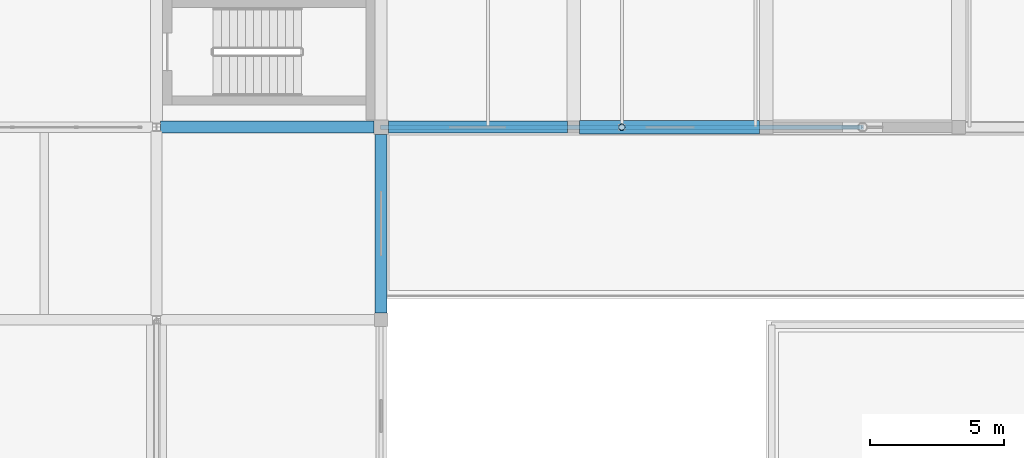
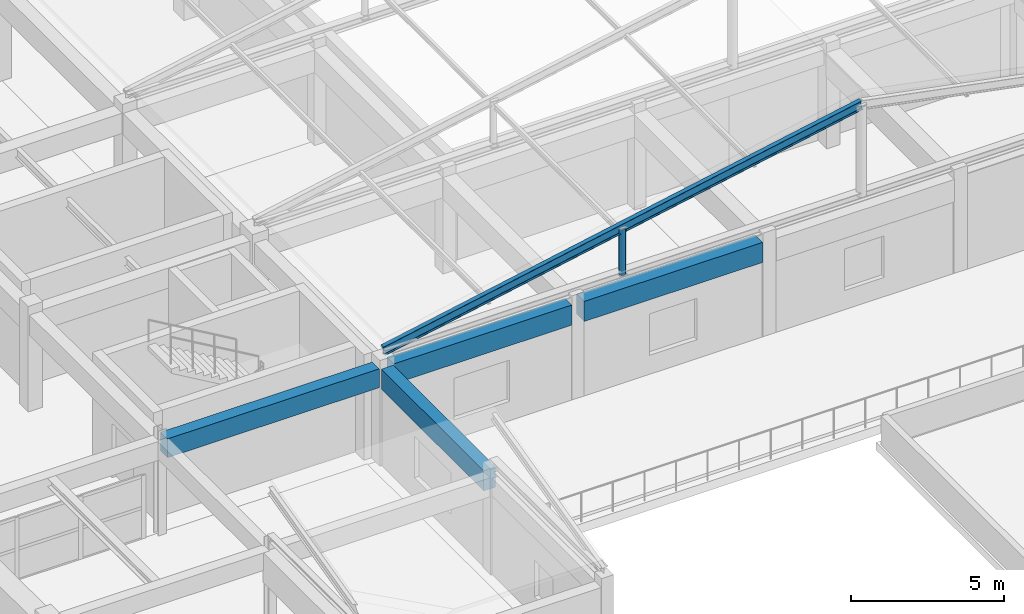
# One storey, part 27 of 74: 4 beams, 2 members.
"""IFC4 building model written with IfcOpenShell, lengths in metres."""

from ifc_helpers import new_model, si_unit, direction, frame, origin, origin_2d, place, context, subcontext, project, spatial, rectangle, hollow_circle, i_section, extrude, material, material_profile, profile_set, type_object, element, save


model = new_model("IFC4")

# Units and contexts
model_context = context("Model", 3, precision=1e-05, world=origin(), true_north=direction((0.0, 1.0)))
body_context = subcontext(model_context, "Body", "Model", "MODEL_VIEW")
ifc_project = project(units=[si_unit("LENGTHUNIT", "METRE"), si_unit("AREAUNIT", "SQUARE_METRE"), si_unit("VOLUMEUNIT", "CUBIC_METRE"), si_unit("PLANEANGLEUNIT", "RADIAN"), si_unit("MASSUNIT", "GRAM", prefix="KILO")], contexts=[model_context])

# Site, building, storey
site_placement = place(None, origin())
site = spatial("IfcSite", under=ifc_project, at=site_placement, CompositionType="ELEMENT")
building_placement = place(site_placement, origin())
building = spatial("IfcBuilding", under=site, at=building_placement, Name="Korsvaeld Concert Hall", CompositionType="ELEMENT")
storey_placement = place(building_placement, frame((0.0, 0.0, 9.0)))
storey = spatial("IfcBuildingStorey", under=building, at=storey_placement, Name="L02", CompositionType="ELEMENT", Elevation=9.0)

# Beams
ifc_material_1 = material(Name="Concrete C35/45", Category="concrete")
ifc_material_profile_1 = material_profile(ifc_material_1, rectangle(XDim=0.449951171875, YDim=0.75, at=origin_2d()), Name="RC 450x750")
ifc_profile_set_1 = profile_set([ifc_material_profile_1], Name="Concrete C35/45")
beam_type_1 = type_object("IfcBeamType", Name="BM-RC-450x750", PredefinedType="T_BEAM", material=ifc_profile_set_1)
beam_1_placement = place(storey_placement, frame((109.35009765625, 43.199951171875, 3.465087890625), z_axis=(1.0, 0.0, 0.0), x_axis=(0.0, 1.0, 0.0)))
element("IfcBeam", 1, at=beam_1_placement, inside=storey, type_object=beam_type_1, Name="Primary girder 15-16/G L02", PredefinedType="T_BEAM", context=body_context, shape_type="SweptSolid", body=[
    extrude(rectangle(XDim=0.449951171875, YDim=0.75, at=origin_2d()), origin(), (0.0, 0.0, 1.0), 7.974853515625),
])
ifc_material_profile_2 = material_profile(ifc_material_1, rectangle(XDim=0.449951171875, YDim=0.800048828125, at=origin_2d()), Name="RC 450x800")
ifc_profile_set_2 = profile_set([ifc_material_profile_2], Name="Concrete C35/45")
beam_type_2 = type_object("IfcBeamType", Name="BM-RC-450x800", PredefinedType="T_BEAM", material=ifc_profile_set_2)
beam_2_placement = place(storey_placement, frame((117.875, 43.199951171875, 3.43994140625), z_axis=(1.0, 0.0, 0.0), x_axis=(0.0, 1.0, 0.0)))
element("IfcBeam", 2, at=beam_2_placement, inside=storey, type_object=beam_type_2, Name="Primary girder 16-17/G L02", PredefinedType="T_BEAM", context=body_context, shape_type="SweptSolid", body=[
    extrude(rectangle(XDim=0.449951171875, YDim=0.800048828125, at=origin_2d()), origin(), (0.0, 0.0, 1.0), 6.699951171875),
])
beam_3_placement = place(storey_placement, frame((117.60009765625, 36.25, 3.43994140625), z_axis=(0.0, 1.0, 0.0), x_axis=(-1.0, 0.0, 0.0)))
element("IfcBeam", 3, at=beam_3_placement, inside=storey, type_object=beam_type_2, Name="Primary girder 16/F-G L02", PredefinedType="T_BEAM", context=body_context, shape_type="SweptSolid", body=[
    extrude(rectangle(XDim=0.449951171875, YDim=0.800048828125, at=origin_2d()), origin(), (0.0, 0.0, 1.0), 6.675048828125),
])
ifc_material_2 = material(Name="Concrete C40/50", Category="concrete")
ifc_material_profile_3 = material_profile(ifc_material_2, rectangle(XDim=0.5, YDim=0.800048828125, at=origin_2d()), Name="RC 500x800")
ifc_profile_set_3 = profile_set([ifc_material_profile_3], Name="Concrete C40/50")
beam_type_3 = type_object("IfcBeamType", Name="BM-RC-500x800", PredefinedType="T_BEAM", material=ifc_profile_set_3)
beam_4_placement = place(storey_placement, frame((125.02490234375, 43.199951171875, 3.43994140625), z_axis=(1.0, 0.0, 0.0), x_axis=(0.0, 1.0, 0.0)))
element("IfcBeam", 4, at=beam_4_placement, inside=storey, type_object=beam_type_3, Name="Primary girder 17-18/G L02", PredefinedType="T_BEAM", context=body_context, shape_type="SweptSolid", body=[
    extrude(rectangle(XDim=0.5, YDim=0.800048828125, at=origin_2d()), origin(), (0.0, 0.0, 1.0), 6.72509765625),
])

# Members
ifc_material_3 = material(Name="Steel S355J2", Category="steel")
ifc_material_profile_4 = material_profile(ifc_material_3, i_section(OverallWidth=0.169921875, OverallDepth=0.360107421875, WebThickness=0.008056640625, FlangeThickness=0.0126953125, FilletRadius=0.01806640625, at=origin_2d()), Name="IPE 360")
ifc_profile_set_4 = profile_set([ifc_material_profile_4], Name="Steel S355J2")
member_type_1 = type_object("IfcMemberType", Name="MEM-RAF-IPE360", PredefinedType="RAFTER", material=ifc_profile_set_4)
member_1_placement = place(storey_placement, frame((117.60009765625, 43.199951171875, 4.35009765625), z_axis=(0.981615389669, 0.0, 0.190869659102), x_axis=(0.0, 1.0, 0.0)))
element("IfcMember", 5, at=member_1_placement, inside=storey, type_object=member_type_1, Name="Chamber Hall west pitched rafter 1", PredefinedType="RAFTER", context=body_context, shape_type="SweptSolid", body=[
    extrude(i_section(OverallWidth=0.169921875, OverallDepth=0.360107421875, WebThickness=0.008056640625, FlangeThickness=0.0126953125, FilletRadius=0.01806640625, at=origin_2d()), origin(), (0.0, 0.0, 1.0), 18.337158203125),
])
ifc_material_profile_5 = material_profile(ifc_material_3, hollow_circle(Radius=0.122314453125, WallThickness=0.012451171875, at=origin_2d()), Name="CHS 244.5x12.5")
ifc_profile_set_5 = profile_set([ifc_material_profile_5], Name="Steel S355J2")
member_type_2 = type_object("IfcMemberType", Name="MEM-STR-CHS244", PredefinedType="STRUT", material=ifc_profile_set_5)
member_2_placement = place(storey_placement, frame((126.60009765625, 43.199951171875, 4.25), z_axis=(0.0, 0.0, 1.0), x_axis=(1.0, 0.0, 0.0)))
element("IfcMember", 6, at=member_2_placement, inside=storey, type_object=member_type_2, Name="Chamber Hall truss web 1.126", PredefinedType="STRUT", context=body_context, shape_type="SweptSolid", body=[
    extrude(hollow_circle(Radius=0.122314453125, WallThickness=0.012451171875, at=origin_2d()), origin(), (0.0, 0.0, 1.0), 1.85009765625),
])

save(model, "model.ifc")
